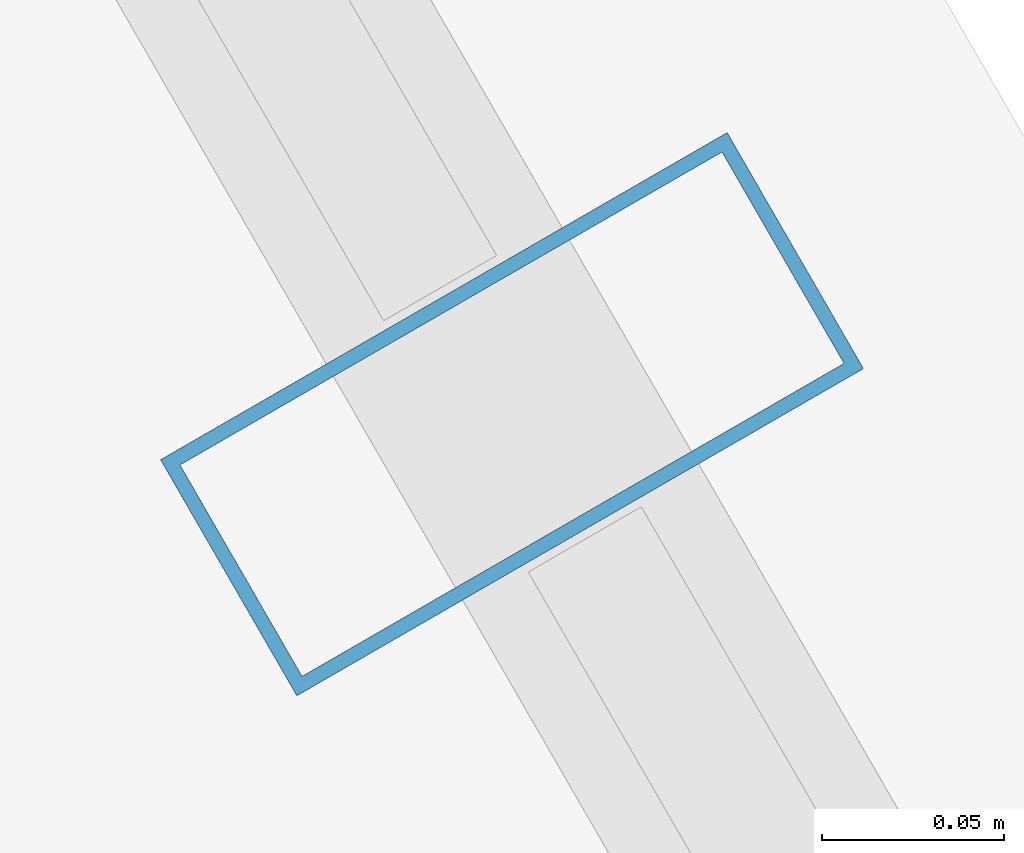
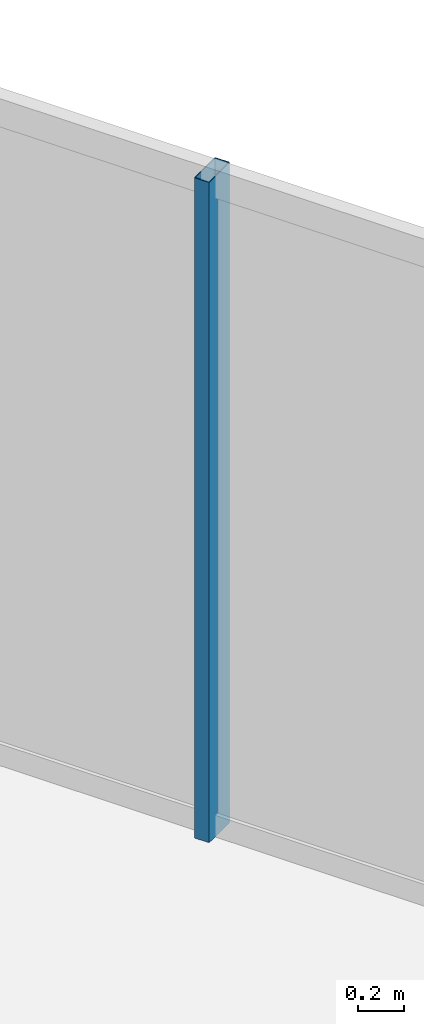
# One storey, part 19 of 35: 1 member, 1 element without a shape of its own.
"""IFC4 building model written with IfcOpenShell, lengths in metres."""

import ifcopenshell
import ifcopenshell.guid

model = None  # the IFC model being written
_history = None  # IfcOwnerHistory: only IFC2X3 demands one
_inside = {}  # id of a spatial element -> (the spatial element, [elements in it])
_under = {}  # id of a project, library or spatial element -> (it, [spatial elements below it])
_declared = {}  # id of a project -> (the project, [libraries it declares])
_typed = {}  # id of a type object -> (the type object, [elements of that type])
_made_of = {}  # id of a material, layer set ... -> (it, [elements and type objects made of it])


def new_model(schema):
    """Start an empty IFC model of exactly this schema.

    Asked for "IFC4X3", IfcOpenShell would pick the latest addendum, in which some entities
    have other attributes; the version numbers below select the first issue.
    IFC2X3 requires an IfcOwnerHistory on every rooted entity: one is made here for all.
    """
    global model, _history
    if schema == "IFC4X3":
        model = ifcopenshell.file(schema_version=(4, 3, 0, 0))
    else:
        model = ifcopenshell.file(schema=schema)
    _inside.clear()
    _under.clear()
    _declared.clear()
    _typed.clear()
    _made_of.clear()
    _history = None
    if model.schema == "IFC2X3":
        org = make("IfcOrganization", Name="unknown")
        user = make(
            "IfcPersonAndOrganization",
            ThePerson=make("IfcPerson", FamilyName="unknown"),
            TheOrganization=org,
        )
        app = make(
            "IfcApplication",
            ApplicationDeveloper=org,
            Version="unknown",
            ApplicationFullName="unknown",
            ApplicationIdentifier="unknown",
        )
        _history = make(
            "IfcOwnerHistory",
            OwningUser=user,
            OwningApplication=app,
            ChangeAction="ADDED",
            CreationDate=0,
        )
    return model


def make(cls, **values):
    """One entity of the class cls with the attributes given. An attribute that is None is left unset."""
    return model.create_entity(
        cls, **{name: value for name, value in values.items() if value is not None}
    )


def rooted(cls, **values):
    """An entity with a GlobalId (a new one), such as an element, a storey or a relation."""
    return make(cls, GlobalId=ifcopenshell.guid.new(), OwnerHistory=_history, **values)


def si_unit(unit_type, name, prefix=None):
    """IfcSIUnit, for example si_unit("LENGTHUNIT", "METRE", prefix="MILLI")."""
    return make("IfcSIUnit", UnitType=unit_type, Prefix=prefix, Name=name)


def assignment(units):
    """IfcUnitAssignment: the units of a project."""
    return None if units is None else make("IfcUnitAssignment", Units=units)


def point(xyz):
    """IfcCartesianPoint."""
    return None if xyz is None else make("IfcCartesianPoint", Coordinates=xyz)


def direction(xyz):
    """IfcDirection."""
    return None if xyz is None else make("IfcDirection", DirectionRatios=xyz)


def frame(location, z_axis=None, x_axis=None):
    """IfcAxis2Placement3D, a coordinate frame: its origin and axes. An axis left out is left unset."""
    return make(
        "IfcAxis2Placement3D",
        Location=point(location),
        Axis=direction(z_axis),
        RefDirection=direction(x_axis),
    )


def frame_2d(location, x_axis=None):
    """IfcAxis2Placement2D, a coordinate frame in the plane: its origin and x axis."""
    return make(
        "IfcAxis2Placement2D", Location=point(location), RefDirection=direction(x_axis)
    )


def origin():
    """The frame at (0, 0, 0) with its axes left unset."""
    return frame((0.0, 0.0, 0.0))


def origin_2d():
    """The frame at (0, 0) in the plane with its x axis left unset."""
    return frame_2d((0.0, 0.0))


def place(relative_to, where):
    """IfcLocalPlacement: puts the frame where relative to a parent placement (None: the world)."""
    return make(
        "IfcLocalPlacement", PlacementRelTo=relative_to, RelativePlacement=where
    )


def context(
    kind, dimensions, precision=None, world=None, true_north=None, identifier=None
):
    """IfcGeometricRepresentationContext, for example the 3D "Model" context."""
    return make(
        "IfcGeometricRepresentationContext",
        ContextIdentifier=identifier,
        ContextType=kind,
        CoordinateSpaceDimension=dimensions,
        Precision=precision,
        WorldCoordinateSystem=world,
        TrueNorth=true_north,
    )


def subcontext(parent, identifier, kind, view, scale=None):
    """IfcGeometricRepresentationSubContext, for example "Body" below "Model"."""
    return make(
        "IfcGeometricRepresentationSubContext",
        ContextIdentifier=identifier,
        ContextType=kind,
        ParentContext=parent,
        TargetScale=scale,
        TargetView=view,
    )


def project(units=None, contexts=None):
    """IfcProject with its units and contexts."""
    return rooted(
        "IfcProject",
        Name="project",
        RepresentationContexts=contexts,
        UnitsInContext=assignment(units),
    )


def spatial(cls, under=None, at=None, **own):
    """A site, building, storey or space (cls), placed at a placement, below another one or the project."""
    s = rooted(cls, ObjectPlacement=at, **own)
    if under is not None:
        _under.setdefault(under.id(), (under, []))[1].append(s)
    return s


def profile(cls, at=None, kind="AREA", **sizes):
    """A parametric profile (cls). Its sizes go by their IFC names, for example OverallWidth=200.0."""
    return make(cls, ProfileType=kind, Position=at, **sizes)


def hollow_rectangle(**sizes):
    """IfcRectangleHollowProfileDef."""
    return profile("IfcRectangleHollowProfileDef", **sizes)


def extrude(swept, where, along, depth):
    """IfcExtrudedAreaSolid: the profile swept, set in the frame where, extruded along a direction by depth."""
    return make(
        "IfcExtrudedAreaSolid",
        SweptArea=swept,
        Position=where,
        ExtrudedDirection=direction(along),
        Depth=depth,
    )


def shape(context_of_items, identifier, shape_type, items):
    """IfcShapeRepresentation: the items that make up one representation, for example the "Body"."""
    return make(
        "IfcShapeRepresentation",
        ContextOfItems=context_of_items,
        RepresentationIdentifier=identifier,
        RepresentationType=shape_type,
        Items=items,
    )


def material(Name=None, Category=None):
    """IfcMaterial."""
    return make("IfcMaterial", Name=Name, Category=Category)


def layer(
    of_material, thickness, ventilated=None, Name=None, Category=None, Priority=None
):
    """IfcMaterialLayer: one layer of a wall or slab, of a material (None: an air gap)."""
    return make(
        "IfcMaterialLayer",
        Material=of_material,
        LayerThickness=thickness,
        IsVentilated=ventilated,
        Name=Name,
        Category=Category,
        Priority=Priority,
    )


def layer_set(layers, Name=None):
    """IfcMaterialLayerSet."""
    return make("IfcMaterialLayerSet", MaterialLayers=layers, LayerSetName=Name)


def material_profile(
    of_material, cross_section, Name=None, Category=None, Priority=None
):
    """IfcMaterialProfile: a cross section and its material."""
    return make(
        "IfcMaterialProfile",
        Name=Name,
        Material=of_material,
        Profile=cross_section,
        Priority=Priority,
        Category=Category,
    )


def profile_set(profiles, Name=None, composite=None):
    """IfcMaterialProfileSet."""
    return make(
        "IfcMaterialProfileSet",
        Name=Name,
        MaterialProfiles=profiles,
        CompositeProfile=composite,
    )


def made_of(thing, what):
    """Note that an element or type object is made of a material, layer set ...; save() writes the relation."""
    if what is not None:
        _made_of.setdefault(what.id(), (what, []))[1].append(thing)
    return thing


def type_object(cls, material=None, **own):
    """A type object (cls), such as IfcWallType, which elements share."""
    return made_of(rooted(cls, **own), material)


def element(
    cls,
    number,
    at=None,
    inside=None,
    cuts=None,
    type_object=None,
    material=None,
    context=None,
    identifier="Body",
    shape_type=None,
    held_by="IfcProductDefinitionShape",
    body=None,
    shapes=None,
    **own,
):
    """One element of the class cls, such as IfcWall. Its Tag is "e" and its number.

    at: its placement. inside: the storey or other place that contains it. cuts: it is an
    opening in that element (IfcRelVoidsElement). A single representation is given by context,
    identifier, shape_type and body (its items); several are given by shapes. held_by: the class
    of the entity that holds the representations. save() writes the other relations.
    """
    e = rooted(cls, Tag="e%d" % number, ObjectPlacement=at, **own)
    if body is not None:
        shapes = [shape(context, identifier, shape_type, body)]
    if shapes is not None:
        e.Representation = make(held_by, Representations=shapes)
    if inside is not None:
        _inside.setdefault(inside.id(), (inside, []))[1].append(e)
    if cuts is not None:
        rooted(
            "IfcRelVoidsElement", RelatingBuildingElement=cuts, RelatedOpeningElement=e
        )
    if type_object is not None:
        _typed.setdefault(type_object.id(), (type_object, []))[1].append(e)
    return made_of(e, material)


def aggregate(whole, parts):
    """IfcRelAggregates: a whole, such as a stair, and the parts it consists of."""
    return rooted("IfcRelAggregates", RelatingObject=whole, RelatedObjects=parts)


def save(model, path):
    """Write the relations noted so far, then the file.

    IfcRelAggregates (storeys below a building ...), IfcRelContainedInSpatialStructure (elements
    in a storey), IfcRelDefinesByType, IfcRelAssociatesMaterial and IfcRelDeclares: one each for
    every whole, place, type object, material and project.
    """
    for whole, parts in _under.values():
        aggregate(whole, parts)
    for where, things in _inside.values():
        rooted(
            "IfcRelContainedInSpatialStructure",
            RelatedElements=things,
            RelatingStructure=where,
        )
    for kind, things in _typed.values():
        rooted("IfcRelDefinesByType", RelatedObjects=things, RelatingType=kind)
    for what, things in _made_of.values():
        rooted("IfcRelAssociatesMaterial", RelatedObjects=things, RelatingMaterial=what)
    for by, libraries in _declared.values():
        rooted("IfcRelDeclares", RelatingContext=by, RelatedDefinitions=libraries)
    model.write(path)


model = new_model("IFC4")

# Units and contexts
model_context = context("Model", 3, precision=1e-05, world=origin(), true_north=direction((0.0, 1.0)))
body_context = subcontext(model_context, "Body", "Model", "MODEL_VIEW")
ifc_project = project(units=[si_unit("LENGTHUNIT", "METRE"), si_unit("AREAUNIT", "SQUARE_METRE"), si_unit("VOLUMEUNIT", "CUBIC_METRE"), si_unit("PLANEANGLEUNIT", "RADIAN"), si_unit("MASSUNIT", "GRAM", prefix="KILO")], contexts=[model_context])

# Site, building, storey
site_placement = place(None, origin())
site = spatial("IfcSite", under=ifc_project, at=site_placement, CompositionType="ELEMENT")
building_placement = place(site_placement, origin())
building = spatial("IfcBuilding", under=site, at=building_placement, Name="Ndaravel Arena Tower", CompositionType="ELEMENT")
storey_placement = place(building_placement, frame((0.0, 0.0, 275.0)))
storey = spatial("IfcBuildingStorey", under=building, at=storey_placement, Name="L67", CompositionType="ELEMENT", Elevation=275.0)

# Curtain wall, member
ifc_material_1 = material(Name="Aluminium", Category="aluminium")
ifc_layer = layer(ifc_material_1, 0.179931640625)
ifc_layer_set = layer_set([ifc_layer], Name="Aluminium")
curtain_wall_type = type_object("IfcCurtainWallType", Name="CW-SYS-03", PredefinedType="NOTDEFINED", material=ifc_layer_set)
curtain_wall_placement = place(storey_placement, origin())
curtain_wall = element("IfcCurtainWall", 1, at=curtain_wall_placement, inside=storey, type_object=curtain_wall_type, Name="L67 Faceted Crystal Curtain Wall CW-L67-E03", PredefinedType="NOTDEFINED")
ifc_material_2 = material(Name="Aluminium", Category="aluminium")
ifc_material_profile = material_profile(ifc_material_2, hollow_rectangle(XDim=0.074951171875, YDim=0.179931640625, WallThickness=0.00390625, at=origin_2d()), Name="CW MULLION 75x180x4")
ifc_profile_set = profile_set([ifc_material_profile], Name="Aluminium")
member_type = type_object("IfcMemberType", Name="MEM-CW-MUL180", PredefinedType="MULLION", material=ifc_profile_set)
member_placement = place(storey_placement, frame((51.19775390625, 32.614501953125, 0.0), z_axis=(0.0, 0.0, 1.0), x_axis=(-0.5, 0.866025403784, 0.0)))
member = element("IfcMember", 2, at=member_placement, type_object=member_type, Name="CW-L67-E03 Mullion 06", PredefinedType="MULLION", context=body_context, shape_type="SweptSolid", body=[
    extrude(hollow_rectangle(XDim=0.074951171875, YDim=0.179931640625, WallThickness=0.00390625, at=origin_2d()), origin(), (0.0, 0.0, 1.0), 3.52001953125),
])
aggregate(curtain_wall, [member])

save(model, "model.ifc")
